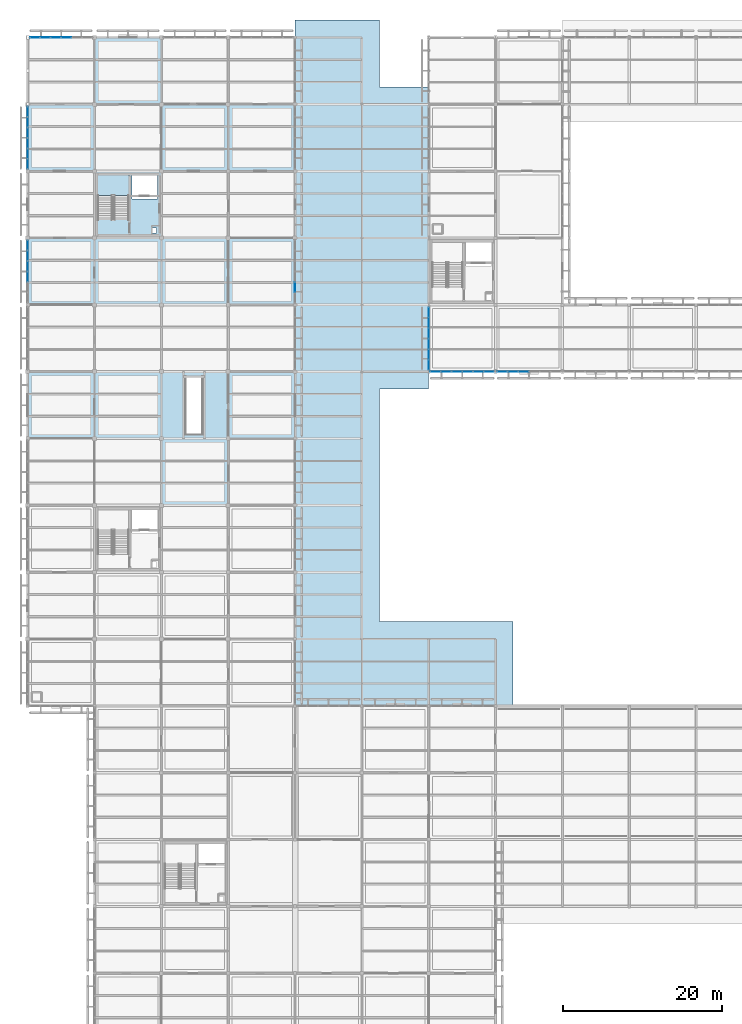
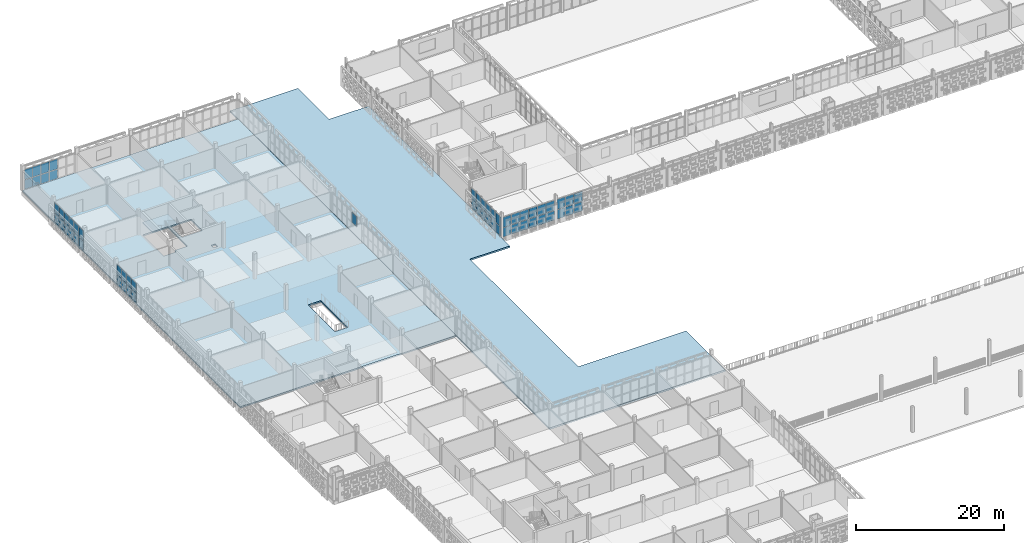
# One storey, part 82 of 166: 59 plates, 3 slabs, 8 elements without a shape of their own.
"""IFC4 building model written with IfcOpenShell, lengths in metres."""

import ifcopenshell
import ifcopenshell.guid

model = None  # the IFC model being written
_history = None  # IfcOwnerHistory: only IFC2X3 demands one
_inside = {}  # id of a spatial element -> (the spatial element, [elements in it])
_under = {}  # id of a project, library or spatial element -> (it, [spatial elements below it])
_declared = {}  # id of a project -> (the project, [libraries it declares])
_typed = {}  # id of a type object -> (the type object, [elements of that type])
_made_of = {}  # id of a material, layer set ... -> (it, [elements and type objects made of it])


def new_model(schema):
    """Start an empty IFC model of exactly this schema.

    Asked for "IFC4X3", IfcOpenShell would pick the latest addendum, in which some entities
    have other attributes; the version numbers below select the first issue.
    IFC2X3 requires an IfcOwnerHistory on every rooted entity: one is made here for all.
    """
    global model, _history
    if schema == "IFC4X3":
        model = ifcopenshell.file(schema_version=(4, 3, 0, 0))
    else:
        model = ifcopenshell.file(schema=schema)
    _inside.clear()
    _under.clear()
    _declared.clear()
    _typed.clear()
    _made_of.clear()
    _history = None
    if model.schema == "IFC2X3":
        org = make("IfcOrganization", Name="unknown")
        user = make(
            "IfcPersonAndOrganization",
            ThePerson=make("IfcPerson", FamilyName="unknown"),
            TheOrganization=org,
        )
        app = make(
            "IfcApplication",
            ApplicationDeveloper=org,
            Version="unknown",
            ApplicationFullName="unknown",
            ApplicationIdentifier="unknown",
        )
        _history = make(
            "IfcOwnerHistory",
            OwningUser=user,
            OwningApplication=app,
            ChangeAction="ADDED",
            CreationDate=0,
        )
    return model


def make(cls, **values):
    """One entity of the class cls with the attributes given. An attribute that is None is left unset."""
    return model.create_entity(
        cls, **{name: value for name, value in values.items() if value is not None}
    )


def rooted(cls, **values):
    """An entity with a GlobalId (a new one), such as an element, a storey or a relation."""
    return make(cls, GlobalId=ifcopenshell.guid.new(), OwnerHistory=_history, **values)


def si_unit(unit_type, name, prefix=None):
    """IfcSIUnit, for example si_unit("LENGTHUNIT", "METRE", prefix="MILLI")."""
    return make("IfcSIUnit", UnitType=unit_type, Prefix=prefix, Name=name)


def assignment(units):
    """IfcUnitAssignment: the units of a project."""
    return None if units is None else make("IfcUnitAssignment", Units=units)


def point(xyz):
    """IfcCartesianPoint."""
    return None if xyz is None else make("IfcCartesianPoint", Coordinates=xyz)


def direction(xyz):
    """IfcDirection."""
    return None if xyz is None else make("IfcDirection", DirectionRatios=xyz)


def frame(location, z_axis=None, x_axis=None):
    """IfcAxis2Placement3D, a coordinate frame: its origin and axes. An axis left out is left unset."""
    return make(
        "IfcAxis2Placement3D",
        Location=point(location),
        Axis=direction(z_axis),
        RefDirection=direction(x_axis),
    )


def frame_2d(location, x_axis=None):
    """IfcAxis2Placement2D, a coordinate frame in the plane: its origin and x axis."""
    return make(
        "IfcAxis2Placement2D", Location=point(location), RefDirection=direction(x_axis)
    )


def origin():
    """The frame at (0, 0, 0) with its axes left unset."""
    return frame((0.0, 0.0, 0.0))


def origin_2d():
    """The frame at (0, 0) in the plane with its x axis left unset."""
    return frame_2d((0.0, 0.0))


def place(relative_to, where):
    """IfcLocalPlacement: puts the frame where relative to a parent placement (None: the world)."""
    return make(
        "IfcLocalPlacement", PlacementRelTo=relative_to, RelativePlacement=where
    )


def context(
    kind, dimensions, precision=None, world=None, true_north=None, identifier=None
):
    """IfcGeometricRepresentationContext, for example the 3D "Model" context."""
    return make(
        "IfcGeometricRepresentationContext",
        ContextIdentifier=identifier,
        ContextType=kind,
        CoordinateSpaceDimension=dimensions,
        Precision=precision,
        WorldCoordinateSystem=world,
        TrueNorth=true_north,
    )


def subcontext(parent, identifier, kind, view, scale=None):
    """IfcGeometricRepresentationSubContext, for example "Body" below "Model"."""
    return make(
        "IfcGeometricRepresentationSubContext",
        ContextIdentifier=identifier,
        ContextType=kind,
        ParentContext=parent,
        TargetScale=scale,
        TargetView=view,
    )


def project(units=None, contexts=None):
    """IfcProject with its units and contexts."""
    return rooted(
        "IfcProject",
        Name="project",
        RepresentationContexts=contexts,
        UnitsInContext=assignment(units),
    )


def spatial(cls, under=None, at=None, **own):
    """A site, building, storey or space (cls), placed at a placement, below another one or the project."""
    s = rooted(cls, ObjectPlacement=at, **own)
    if under is not None:
        _under.setdefault(under.id(), (under, []))[1].append(s)
    return s


def polyline(points):
    """IfcPolyline through the points."""
    return make("IfcPolyline", Points=[point(p) for p in points])


def profile(cls, at=None, kind="AREA", **sizes):
    """A parametric profile (cls). Its sizes go by their IFC names, for example OverallWidth=200.0."""
    return make(cls, ProfileType=kind, Position=at, **sizes)


def rectangle(**sizes):
    """IfcRectangleProfileDef."""
    return profile("IfcRectangleProfileDef", **sizes)


def outline(outer, holes=None, kind="AREA"):
    """IfcArbitraryClosedProfileDef: a profile drawn as a closed curve; with holes, ...WithVoids."""
    if holes is None:
        return make("IfcArbitraryClosedProfileDef", ProfileType=kind, OuterCurve=outer)
    return make(
        "IfcArbitraryProfileDefWithVoids",
        ProfileType=kind,
        OuterCurve=outer,
        InnerCurves=holes,
    )


def extrude(swept, where, along, depth):
    """IfcExtrudedAreaSolid: the profile swept, set in the frame where, extruded along a direction by depth."""
    return make(
        "IfcExtrudedAreaSolid",
        SweptArea=swept,
        Position=where,
        ExtrudedDirection=direction(along),
        Depth=depth,
    )


def shape(context_of_items, identifier, shape_type, items):
    """IfcShapeRepresentation: the items that make up one representation, for example the "Body"."""
    return make(
        "IfcShapeRepresentation",
        ContextOfItems=context_of_items,
        RepresentationIdentifier=identifier,
        RepresentationType=shape_type,
        Items=items,
    )


def material(Name=None, Category=None):
    """IfcMaterial."""
    return make("IfcMaterial", Name=Name, Category=Category)


def layer(
    of_material, thickness, ventilated=None, Name=None, Category=None, Priority=None
):
    """IfcMaterialLayer: one layer of a wall or slab, of a material (None: an air gap)."""
    return make(
        "IfcMaterialLayer",
        Material=of_material,
        LayerThickness=thickness,
        IsVentilated=ventilated,
        Name=Name,
        Category=Category,
        Priority=Priority,
    )


def layer_set(layers, Name=None):
    """IfcMaterialLayerSet."""
    return make("IfcMaterialLayerSet", MaterialLayers=layers, LayerSetName=Name)


def made_of(thing, what):
    """Note that an element or type object is made of a material, layer set ...; save() writes the relation."""
    if what is not None:
        _made_of.setdefault(what.id(), (what, []))[1].append(thing)
    return thing


def type_object(cls, material=None, **own):
    """A type object (cls), such as IfcWallType, which elements share."""
    return made_of(rooted(cls, **own), material)


def element(
    cls,
    number,
    at=None,
    inside=None,
    cuts=None,
    type_object=None,
    material=None,
    context=None,
    identifier="Body",
    shape_type=None,
    held_by="IfcProductDefinitionShape",
    body=None,
    shapes=None,
    **own,
):
    """One element of the class cls, such as IfcWall. Its Tag is "e" and its number.

    at: its placement. inside: the storey or other place that contains it. cuts: it is an
    opening in that element (IfcRelVoidsElement). A single representation is given by context,
    identifier, shape_type and body (its items); several are given by shapes. held_by: the class
    of the entity that holds the representations. save() writes the other relations.
    """
    e = rooted(cls, Tag="e%d" % number, ObjectPlacement=at, **own)
    if body is not None:
        shapes = [shape(context, identifier, shape_type, body)]
    if shapes is not None:
        e.Representation = make(held_by, Representations=shapes)
    if inside is not None:
        _inside.setdefault(inside.id(), (inside, []))[1].append(e)
    if cuts is not None:
        rooted(
            "IfcRelVoidsElement", RelatingBuildingElement=cuts, RelatedOpeningElement=e
        )
    if type_object is not None:
        _typed.setdefault(type_object.id(), (type_object, []))[1].append(e)
    return made_of(e, material)


def aggregate(whole, parts):
    """IfcRelAggregates: a whole, such as a stair, and the parts it consists of."""
    return rooted("IfcRelAggregates", RelatingObject=whole, RelatedObjects=parts)


def save(model, path):
    """Write the relations noted so far, then the file.

    IfcRelAggregates (storeys below a building ...), IfcRelContainedInSpatialStructure (elements
    in a storey), IfcRelDefinesByType, IfcRelAssociatesMaterial and IfcRelDeclares: one each for
    every whole, place, type object, material and project.
    """
    for whole, parts in _under.values():
        aggregate(whole, parts)
    for where, things in _inside.values():
        rooted(
            "IfcRelContainedInSpatialStructure",
            RelatedElements=things,
            RelatingStructure=where,
        )
    for kind, things in _typed.values():
        rooted("IfcRelDefinesByType", RelatedObjects=things, RelatingType=kind)
    for what, things in _made_of.values():
        rooted("IfcRelAssociatesMaterial", RelatedObjects=things, RelatingMaterial=what)
    for by, libraries in _declared.values():
        rooted("IfcRelDeclares", RelatingContext=by, RelatedDefinitions=libraries)
    model.write(path)


model = new_model("IFC4")

# Units and contexts
model_context = context("Model", 3, precision=1e-05, world=origin(), true_north=direction((0.0, 1.0)))
body_context = subcontext(model_context, "Body", "Model", "MODEL_VIEW")
ifc_project = project(units=[si_unit("LENGTHUNIT", "METRE"), si_unit("AREAUNIT", "SQUARE_METRE"), si_unit("VOLUMEUNIT", "CUBIC_METRE"), si_unit("PLANEANGLEUNIT", "RADIAN"), si_unit("MASSUNIT", "GRAM", prefix="KILO")], contexts=[model_context])

# Site, building, storey
site_placement = place(None, origin())
site = spatial("IfcSite", under=ifc_project, at=site_placement, CompositionType="ELEMENT")
building_placement = place(site_placement, origin())
building = spatial("IfcBuilding", under=site, at=building_placement, Name="Varnapada Polytechnic", CompositionType="ELEMENT")
storey_placement = place(building_placement, frame((0.0, 0.0, 9.60009765625)))
storey = spatial("IfcBuildingStorey", under=building, at=storey_placement, Name="L02", CompositionType="ELEMENT", Elevation=9.60009765625)

# Curtain wall, plates
ifc_material_1 = material(Name="Double low-E laminated glass", Category="glass")
ifc_layer_1 = layer(ifc_material_1, 0.159912109375)
ifc_layer_set_1 = layer_set([ifc_layer_1], Name="Double low-E laminated glass")
curtain_wall_type_1 = type_object("IfcCurtainWallType", Name="Curtain Wall CW-01", PredefinedType="NOTDEFINED", material=ifc_layer_set_1)
curtain_wall_1_placement = place(storey_placement, origin())
curtain_wall_1 = element("IfcCurtainWall", 1, at=curtain_wall_1_placement, inside=storey, type_object=curtain_wall_type_1, Name="L02 unitised curtain wall CW-01 (158)", PredefinedType="NOTDEFINED")
ifc_layer_2 = layer(ifc_material_1, 0.028076171875)
ifc_layer_set_2 = layer_set([ifc_layer_2], Name="Double low-E laminated glass")
plate_type_1 = type_object("IfcPlateType", Name="Curtain Panel PNL-01", PredefinedType="CURTAIN_PANEL", material=ifc_layer_set_2)
plate_1_placement = place(storey_placement, frame((57.9599609375, 84.0, 0.06005859375), z_axis=(0.0, 0.0, 1.0), x_axis=(-1.0, 0.0, 0.0)))
plate_1 = element("IfcPlate", 2, at=plate_1_placement, type_object=plate_type_1, Name="CW-01 panel 1.1", PredefinedType="CURTAIN_PANEL", context=body_context, shape_type="SweptSolid", body=[
    extrude(rectangle(XDim=1.260009765625, YDim=0.028076171875, at=origin_2d()), origin(), (0.0, 0.0, 1.0), 1.522705078125),
])
plate_2_placement = place(storey_placement, frame((57.9599609375, 84.0, 1.642578125), z_axis=(0.0, 0.0, 1.0), x_axis=(-1.0, 0.0, 0.0)))
plate_2 = element("IfcPlate", 3, at=plate_2_placement, type_object=plate_type_1, Name="CW-01 panel 1.2", PredefinedType="CURTAIN_PANEL", context=body_context, shape_type="SweptSolid", body=[
    extrude(rectangle(XDim=1.260009765625, YDim=0.028076171875, at=origin_2d()), origin(), (0.0, 0.0, 1.0), 1.6572265625),
])
plate_3_placement = place(storey_placement, frame((56.625, 84.0, 0.06005859375), z_axis=(0.0, 0.0, 1.0), x_axis=(-1.0, 0.0, 0.0)))
plate_3 = element("IfcPlate", 4, at=plate_3_placement, type_object=plate_type_1, Name="CW-01 panel 2.1", PredefinedType="CURTAIN_PANEL", context=body_context, shape_type="SweptSolid", body=[
    extrude(rectangle(XDim=1.2900390625, YDim=0.028076171875, at=origin_2d()), origin(), (0.0, 0.0, 1.0), 1.522705078125),
])
plate_4_placement = place(storey_placement, frame((56.625, 84.0, 1.642578125), z_axis=(0.0, 0.0, 1.0), x_axis=(-1.0, 0.0, 0.0)))
plate_4 = element("IfcPlate", 5, at=plate_4_placement, type_object=plate_type_1, Name="CW-01 panel 2.2", PredefinedType="CURTAIN_PANEL", context=body_context, shape_type="SweptSolid", body=[
    extrude(rectangle(XDim=1.2900390625, YDim=0.028076171875, at=origin_2d()), origin(), (0.0, 0.0, 1.0), 1.6572265625),
])
plate_5_placement = place(storey_placement, frame((55.27490234375, 84.0, 0.06005859375), z_axis=(0.0, 0.0, 1.0), x_axis=(-1.0, 0.0, 0.0)))
plate_5 = element("IfcPlate", 6, at=plate_5_placement, type_object=plate_type_1, Name="CW-01 panel 3.1", PredefinedType="CURTAIN_PANEL", context=body_context, shape_type="SweptSolid", body=[
    extrude(rectangle(XDim=1.2900390625, YDim=0.028076171875, at=origin_2d()), origin(), (0.0, 0.0, 1.0), 1.522705078125),
])
plate_6_placement = place(storey_placement, frame((55.27490234375, 84.0, 1.642578125), z_axis=(0.0, 0.0, 1.0), x_axis=(-1.0, 0.0, 0.0)))
plate_6 = element("IfcPlate", 7, at=plate_6_placement, type_object=plate_type_1, Name="CW-01 panel 3.2", PredefinedType="CURTAIN_PANEL", context=body_context, shape_type="SweptSolid", body=[
    extrude(rectangle(XDim=1.2900390625, YDim=0.028076171875, at=origin_2d()), origin(), (0.0, 0.0, 1.0), 1.6572265625),
])
plate_7_placement = place(storey_placement, frame((53.925048828125, 84.0, 0.06005859375), z_axis=(0.0, 0.0, 1.0), x_axis=(-1.0, 0.0, 0.0)))
plate_7 = element("IfcPlate", 8, at=plate_7_placement, type_object=plate_type_1, Name="CW-01 panel 4.1", PredefinedType="CURTAIN_PANEL", context=body_context, shape_type="SweptSolid", body=[
    extrude(rectangle(XDim=1.2900390625, YDim=0.028076171875, at=origin_2d()), origin(), (0.0, 0.0, 1.0), 1.522705078125),
])
plate_8_placement = place(storey_placement, frame((53.925048828125, 84.0, 1.642578125), z_axis=(0.0, 0.0, 1.0), x_axis=(-1.0, 0.0, 0.0)))
plate_8 = element("IfcPlate", 9, at=plate_8_placement, type_object=plate_type_1, Name="CW-01 panel 4.2", PredefinedType="CURTAIN_PANEL", context=body_context, shape_type="SweptSolid", body=[
    extrude(rectangle(XDim=1.2900390625, YDim=0.028076171875, at=origin_2d()), origin(), (0.0, 0.0, 1.0), 1.6572265625),
])
plate_9_placement = place(storey_placement, frame((52.574951171875, 84.0, 0.06005859375), z_axis=(0.0, 0.0, 1.0), x_axis=(-1.0, 0.0, 0.0)))
plate_9 = element("IfcPlate", 10, at=plate_9_placement, type_object=plate_type_1, Name="CW-01 panel 5.1", PredefinedType="CURTAIN_PANEL", context=body_context, shape_type="SweptSolid", body=[
    extrude(rectangle(XDim=1.2900390625, YDim=0.028076171875, at=origin_2d()), origin(), (0.0, 0.0, 1.0), 1.522705078125),
])
plate_10_placement = place(storey_placement, frame((52.574951171875, 84.0, 1.642578125), z_axis=(0.0, 0.0, 1.0), x_axis=(-1.0, 0.0, 0.0)))
plate_10 = element("IfcPlate", 11, at=plate_10_placement, type_object=plate_type_1, Name="CW-01 panel 5.2", PredefinedType="CURTAIN_PANEL", context=body_context, shape_type="SweptSolid", body=[
    extrude(rectangle(XDim=1.2900390625, YDim=0.028076171875, at=origin_2d()), origin(), (0.0, 0.0, 1.0), 1.6572265625),
])
plate_11_placement = place(storey_placement, frame((51.239990234375, 84.0, 0.06005859375), z_axis=(0.0, 0.0, 1.0), x_axis=(-1.0, 0.0, 0.0)))
plate_11 = element("IfcPlate", 12, at=plate_11_placement, type_object=plate_type_1, Name="CW-01 panel 6.1", PredefinedType="CURTAIN_PANEL", context=body_context, shape_type="SweptSolid", body=[
    extrude(rectangle(XDim=1.260009765625, YDim=0.028076171875, at=origin_2d()), origin(), (0.0, 0.0, 1.0), 1.522705078125),
])
plate_12_placement = place(storey_placement, frame((51.239990234375, 84.0, 1.642578125), z_axis=(0.0, 0.0, 1.0), x_axis=(-1.0, 0.0, 0.0)))
plate_12 = element("IfcPlate", 13, at=plate_12_placement, type_object=plate_type_1, Name="CW-01 panel 6.2", PredefinedType="CURTAIN_PANEL", context=body_context, shape_type="SweptSolid", body=[
    extrude(rectangle(XDim=1.260009765625, YDim=0.028076171875, at=origin_2d()), origin(), (0.0, 0.0, 1.0), 1.6572265625),
])
aggregate(curtain_wall_1, [plate_1, plate_2, plate_3, plate_4, plate_5, plate_6, plate_7, plate_8, plate_9, plate_10, plate_11, plate_12])

ifc_layer_3 = layer(ifc_material_1, 0.159912109375)
ifc_layer_set_3 = layer_set([ifc_layer_3], Name="Double low-E laminated glass")
curtain_wall_type_2 = type_object("IfcCurtainWallType", Name="Curtain Wall CW-02", PredefinedType="NOTDEFINED", material=ifc_layer_set_3)
curtain_wall_2_placement = place(storey_placement, origin())
curtain_wall_2 = element("IfcCurtainWall", 14, at=curtain_wall_2_placement, inside=storey, type_object=curtain_wall_type_2, Name="L02 unitised curtain wall CW-02 (159)", PredefinedType="NOTDEFINED")
plate_13_placement = place(storey_placement, frame((50.39990234375, 84.879638671875, 0.06005859375), z_axis=(0.0, 0.0, 1.0), x_axis=(0.0, 1.0, 0.0)))
plate_13 = element("IfcPlate", 15, at=plate_13_placement, type_object=plate_type_1, Name="CW-02 panel 1.1", PredefinedType="CURTAIN_PANEL", context=body_context, shape_type="SweptSolid", body=[
    extrude(rectangle(XDim=1.2392578125, YDim=0.028076171875, at=origin_2d()), origin(), (0.0, 0.0, 1.0), 1.522705078125),
])
plate_14_placement = place(storey_placement, frame((50.39990234375, 84.879638671875, 1.642578125), z_axis=(0.0, 0.0, 1.0), x_axis=(0.0, 1.0, 0.0)))
plate_14 = element("IfcPlate", 16, at=plate_14_placement, type_object=plate_type_1, Name="CW-02 panel 1.2", PredefinedType="CURTAIN_PANEL", context=body_context, shape_type="SweptSolid", body=[
    extrude(rectangle(XDim=1.2392578125, YDim=0.028076171875, at=origin_2d()), origin(), (0.0, 0.0, 1.0), 1.6572265625),
])
plate_15_placement = place(storey_placement, frame((50.39990234375, 86.19384765625, 0.06005859375), z_axis=(0.0, 0.0, 1.0), x_axis=(0.0, 1.0, 0.0)))
plate_15 = element("IfcPlate", 17, at=plate_15_placement, type_object=plate_type_1, Name="CW-02 panel 2.1", PredefinedType="CURTAIN_PANEL", context=body_context, shape_type="SweptSolid", body=[
    extrude(rectangle(XDim=1.269287109375, YDim=0.028076171875, at=origin_2d()), origin(), (0.0, 0.0, 1.0), 1.522705078125),
])
plate_16_placement = place(storey_placement, frame((50.39990234375, 86.19384765625, 1.642578125), z_axis=(0.0, 0.0, 1.0), x_axis=(0.0, 1.0, 0.0)))
plate_16 = element("IfcPlate", 18, at=plate_16_placement, type_object=plate_type_1, Name="CW-02 panel 2.2", PredefinedType="CURTAIN_PANEL", context=body_context, shape_type="SweptSolid", body=[
    extrude(rectangle(XDim=1.269287109375, YDim=0.028076171875, at=origin_2d()), origin(), (0.0, 0.0, 1.0), 1.6572265625),
])
plate_17_placement = place(storey_placement, frame((50.39990234375, 87.52294921875, 0.06005859375), z_axis=(0.0, 0.0, 1.0), x_axis=(0.0, 1.0, 0.0)))
plate_17 = element("IfcPlate", 19, at=plate_17_placement, type_object=plate_type_1, Name="CW-02 panel 3.1", PredefinedType="CURTAIN_PANEL", context=body_context, shape_type="SweptSolid", body=[
    extrude(rectangle(XDim=1.269287109375, YDim=0.028076171875, at=origin_2d()), origin(), (0.0, 0.0, 1.0), 1.522705078125),
])
plate_18_placement = place(storey_placement, frame((50.39990234375, 87.52294921875, 1.642578125), z_axis=(0.0, 0.0, 1.0), x_axis=(0.0, 1.0, 0.0)))
plate_18 = element("IfcPlate", 20, at=plate_18_placement, type_object=plate_type_1, Name="CW-02 panel 3.2", PredefinedType="CURTAIN_PANEL", context=body_context, shape_type="SweptSolid", body=[
    extrude(rectangle(XDim=1.269287109375, YDim=0.028076171875, at=origin_2d()), origin(), (0.0, 0.0, 1.0), 1.6572265625),
])
plate_19_placement = place(storey_placement, frame((50.39990234375, 88.85205078125, 0.06005859375), z_axis=(0.0, 0.0, 1.0), x_axis=(0.0, 1.0, 0.0)))
plate_19 = element("IfcPlate", 21, at=plate_19_placement, type_object=plate_type_1, Name="CW-02 panel 4.1", PredefinedType="CURTAIN_PANEL", context=body_context, shape_type="SweptSolid", body=[
    extrude(rectangle(XDim=1.269287109375, YDim=0.028076171875, at=origin_2d()), origin(), (0.0, 0.0, 1.0), 1.522705078125),
])
plate_20_placement = place(storey_placement, frame((50.39990234375, 88.85205078125, 1.642578125), z_axis=(0.0, 0.0, 1.0), x_axis=(0.0, 1.0, 0.0)))
plate_20 = element("IfcPlate", 22, at=plate_20_placement, type_object=plate_type_1, Name="CW-02 panel 4.2", PredefinedType="CURTAIN_PANEL", context=body_context, shape_type="SweptSolid", body=[
    extrude(rectangle(XDim=1.269287109375, YDim=0.028076171875, at=origin_2d()), origin(), (0.0, 0.0, 1.0), 1.6572265625),
])
plate_21_placement = place(storey_placement, frame((50.39990234375, 90.18115234375, 0.06005859375), z_axis=(0.0, 0.0, 1.0), x_axis=(0.0, 1.0, 0.0)))
plate_21 = element("IfcPlate", 23, at=plate_21_placement, type_object=plate_type_1, Name="CW-02 panel 5.1", PredefinedType="CURTAIN_PANEL", context=body_context, shape_type="SweptSolid", body=[
    extrude(rectangle(XDim=1.269287109375, YDim=0.028076171875, at=origin_2d()), origin(), (0.0, 0.0, 1.0), 1.522705078125),
])
plate_22_placement = place(storey_placement, frame((50.39990234375, 90.18115234375, 1.642578125), z_axis=(0.0, 0.0, 1.0), x_axis=(0.0, 1.0, 0.0)))
plate_22 = element("IfcPlate", 24, at=plate_22_placement, type_object=plate_type_1, Name="CW-02 panel 5.2", PredefinedType="CURTAIN_PANEL", context=body_context, shape_type="SweptSolid", body=[
    extrude(rectangle(XDim=1.269287109375, YDim=0.028076171875, at=origin_2d()), origin(), (0.0, 0.0, 1.0), 1.6572265625),
])
plate_23_placement = place(storey_placement, frame((50.39990234375, 91.495361328125, 0.06005859375), z_axis=(0.0, 0.0, 1.0), x_axis=(0.0, 1.0, 0.0)))
plate_23 = element("IfcPlate", 25, at=plate_23_placement, type_object=plate_type_1, Name="CW-02 panel 6.1", PredefinedType="CURTAIN_PANEL", context=body_context, shape_type="SweptSolid", body=[
    extrude(rectangle(XDim=1.2392578125, YDim=0.028076171875, at=origin_2d()), origin(), (0.0, 0.0, 1.0), 1.522705078125),
])
plate_24_placement = place(storey_placement, frame((50.39990234375, 91.495361328125, 1.642578125), z_axis=(0.0, 0.0, 1.0), x_axis=(0.0, 1.0, 0.0)))
plate_24 = element("IfcPlate", 26, at=plate_24_placement, type_object=plate_type_1, Name="CW-02 panel 6.2", PredefinedType="CURTAIN_PANEL", context=body_context, shape_type="SweptSolid", body=[
    extrude(rectangle(XDim=1.2392578125, YDim=0.028076171875, at=origin_2d()), origin(), (0.0, 0.0, 1.0), 1.6572265625),
])
aggregate(curtain_wall_2, [plate_13, plate_14, plate_15, plate_16, plate_17, plate_18, plate_19, plate_20, plate_21, plate_22, plate_23, plate_24])

curtain_wall_3_placement = place(storey_placement, origin())
curtain_wall_3 = element("IfcCurtainWall", 27, at=curtain_wall_3_placement, inside=storey, type_object=curtain_wall_type_1, Name="L02 unitised curtain wall CW-01 (162)", PredefinedType="NOTDEFINED")
plate_25_placement = place(storey_placement, frame((62.324951171875, 84.0, 0.06005859375), z_axis=(0.0, 0.0, 1.0), x_axis=(-1.0, 0.0, 0.0)))
plate_25 = element("IfcPlate", 28, at=plate_25_placement, type_object=plate_type_1, Name="CW-01 panel 4.1", PredefinedType="CURTAIN_PANEL", context=body_context, shape_type="SweptSolid", body=[
    extrude(rectangle(XDim=1.2900390625, YDim=0.028076171875, at=origin_2d()), origin(), (0.0, 0.0, 1.0), 1.522705078125),
])
plate_26_placement = place(storey_placement, frame((62.324951171875, 84.0, 1.642578125), z_axis=(0.0, 0.0, 1.0), x_axis=(-1.0, 0.0, 0.0)))
plate_26 = element("IfcPlate", 29, at=plate_26_placement, type_object=plate_type_1, Name="CW-01 panel 4.2", PredefinedType="CURTAIN_PANEL", context=body_context, shape_type="SweptSolid", body=[
    extrude(rectangle(XDim=1.2900390625, YDim=0.028076171875, at=origin_2d()), origin(), (0.0, 0.0, 1.0), 1.6572265625),
])
plate_27_placement = place(storey_placement, frame((60.97509765625, 84.0, 0.06005859375), z_axis=(0.0, 0.0, 1.0), x_axis=(-1.0, 0.0, 0.0)))
plate_27 = element("IfcPlate", 30, at=plate_27_placement, type_object=plate_type_1, Name="CW-01 panel 5.1", PredefinedType="CURTAIN_PANEL", context=body_context, shape_type="SweptSolid", body=[
    extrude(rectangle(XDim=1.2900390625, YDim=0.028076171875, at=origin_2d()), origin(), (0.0, 0.0, 1.0), 1.522705078125),
])
plate_28_placement = place(storey_placement, frame((60.97509765625, 84.0, 1.642578125), z_axis=(0.0, 0.0, 1.0), x_axis=(-1.0, 0.0, 0.0)))
plate_28 = element("IfcPlate", 31, at=plate_28_placement, type_object=plate_type_1, Name="CW-01 panel 5.2", PredefinedType="CURTAIN_PANEL", context=body_context, shape_type="SweptSolid", body=[
    extrude(rectangle(XDim=1.2900390625, YDim=0.028076171875, at=origin_2d()), origin(), (0.0, 0.0, 1.0), 1.6572265625),
])
plate_29_placement = place(storey_placement, frame((59.639892578125, 84.0, 0.06005859375), z_axis=(0.0, 0.0, 1.0), x_axis=(-1.0, 0.0, 0.0)))
plate_29 = element("IfcPlate", 32, at=plate_29_placement, type_object=plate_type_1, Name="CW-01 panel 6.1", PredefinedType="CURTAIN_PANEL", context=body_context, shape_type="SweptSolid", body=[
    extrude(rectangle(XDim=1.260009765625, YDim=0.028076171875, at=origin_2d()), origin(), (0.0, 0.0, 1.0), 1.522705078125),
])
plate_30_placement = place(storey_placement, frame((59.639892578125, 84.0, 1.642578125), z_axis=(0.0, 0.0, 1.0), x_axis=(-1.0, 0.0, 0.0)))
plate_30 = element("IfcPlate", 33, at=plate_30_placement, type_object=plate_type_1, Name="CW-01 panel 6.2", PredefinedType="CURTAIN_PANEL", context=body_context, shape_type="SweptSolid", body=[
    extrude(rectangle(XDim=1.260009765625, YDim=0.028076171875, at=origin_2d()), origin(), (0.0, 0.0, 1.0), 1.6572265625),
])
aggregate(curtain_wall_3, [plate_25, plate_26, plate_27, plate_28, plate_29, plate_30])

ifc_layer_4 = layer(ifc_material_1, 0.179931640625)
ifc_layer_set_4 = layer_set([ifc_layer_4], Name="Double low-E laminated glass")
curtain_wall_type_3 = type_object("IfcCurtainWallType", Name="Curtain Wall CW-03", PredefinedType="NOTDEFINED", material=ifc_layer_set_4)
curtain_wall_4_placement = place(storey_placement, origin())
curtain_wall_4 = element("IfcCurtainWall", 34, at=curtain_wall_4_placement, inside=storey, type_object=curtain_wall_type_3, Name="L02 unitised curtain wall CW-03 (133)", PredefinedType="NOTDEFINED")
ifc_layer_5 = layer(ifc_material_1, 0.031982421875)
ifc_layer_set_5 = layer_set([ifc_layer_5], Name="Double low-E laminated glass")
plate_type_2 = type_object("IfcPlateType", Name="Curtain Panel PNL-02", PredefinedType="CURTAIN_PANEL", material=ifc_layer_set_5)
plate_31_placement = place(storey_placement, frame((0.0, 95.935791015625, 0.06494140625), z_axis=(0.0, 0.0, 1.0), x_axis=(0.0, 1.0, 0.0)))
plate_31 = element("IfcPlate", 35, at=plate_31_placement, type_object=plate_type_2, Name="CW-03 panel 3.1", PredefinedType="CURTAIN_PANEL", context=body_context, shape_type="SweptSolid", body=[
    extrude(rectangle(XDim=1.25341796875, YDim=0.031982421875, at=origin_2d()), origin(), (0.0, 0.0, 1.0), 1.515380859375),
])
plate_32_placement = place(storey_placement, frame((0.0, 95.935791015625, 1.64501953125), z_axis=(0.0, 0.0, 1.0), x_axis=(0.0, 1.0, 0.0)))
plate_32 = element("IfcPlate", 36, at=plate_32_placement, type_object=plate_type_2, Name="CW-03 panel 3.2", PredefinedType="CURTAIN_PANEL", context=body_context, shape_type="SweptSolid", body=[
    extrude(rectangle(XDim=1.25341796875, YDim=0.031982421875, at=origin_2d()), origin(), (0.0, 0.0, 1.0), 1.649658203125),
])
plate_33_placement = place(storey_placement, frame((0.0, 97.254150390625, 0.06494140625), z_axis=(0.0, 0.0, 1.0), x_axis=(0.0, 1.0, 0.0)))
plate_33 = element("IfcPlate", 37, at=plate_33_placement, type_object=plate_type_2, Name="CW-03 panel 4.1", PredefinedType="CURTAIN_PANEL", context=body_context, shape_type="SweptSolid", body=[
    extrude(rectangle(XDim=1.25341796875, YDim=0.031982421875, at=origin_2d()), origin(), (0.0, 0.0, 1.0), 1.515380859375),
])
plate_34_placement = place(storey_placement, frame((0.0, 97.254150390625, 1.64501953125), z_axis=(0.0, 0.0, 1.0), x_axis=(0.0, 1.0, 0.0)))
plate_34 = element("IfcPlate", 38, at=plate_34_placement, type_object=plate_type_2, Name="CW-03 panel 4.2", PredefinedType="CURTAIN_PANEL", context=body_context, shape_type="SweptSolid", body=[
    extrude(rectangle(XDim=1.25341796875, YDim=0.031982421875, at=origin_2d()), origin(), (0.0, 0.0, 1.0), 1.649658203125),
])
plate_35_placement = place(storey_placement, frame((0.0, 98.572509765625, 0.06494140625), z_axis=(0.0, 0.0, 1.0), x_axis=(0.0, 1.0, 0.0)))
plate_35 = element("IfcPlate", 39, at=plate_35_placement, type_object=plate_type_2, Name="CW-03 panel 5.1", PredefinedType="CURTAIN_PANEL", context=body_context, shape_type="SweptSolid", body=[
    extrude(rectangle(XDim=1.25341796875, YDim=0.031982421875, at=origin_2d()), origin(), (0.0, 0.0, 1.0), 1.515380859375),
])
plate_36_placement = place(storey_placement, frame((0.0, 98.572509765625, 1.64501953125), z_axis=(0.0, 0.0, 1.0), x_axis=(0.0, 1.0, 0.0)))
plate_36 = element("IfcPlate", 40, at=plate_36_placement, type_object=plate_type_2, Name="CW-03 panel 5.2", PredefinedType="CURTAIN_PANEL", context=body_context, shape_type="SweptSolid", body=[
    extrude(rectangle(XDim=1.25341796875, YDim=0.031982421875, at=origin_2d()), origin(), (0.0, 0.0, 1.0), 1.649658203125),
])
plate_37_placement = place(storey_placement, frame((0.0, 99.87451171875, 0.06494140625), z_axis=(0.0, 0.0, 1.0), x_axis=(0.0, 1.0, 0.0)))
plate_37 = element("IfcPlate", 41, at=plate_37_placement, type_object=plate_type_2, Name="CW-03 panel 6.1", PredefinedType="CURTAIN_PANEL", context=body_context, shape_type="SweptSolid", body=[
    extrude(rectangle(XDim=1.220947265625, YDim=0.031982421875, at=origin_2d()), origin(), (0.0, 0.0, 1.0), 1.515380859375),
])
plate_38_placement = place(storey_placement, frame((0.0, 99.87451171875, 1.64501953125), z_axis=(0.0, 0.0, 1.0), x_axis=(0.0, 1.0, 0.0)))
plate_38 = element("IfcPlate", 42, at=plate_38_placement, type_object=plate_type_2, Name="CW-03 panel 6.2", PredefinedType="CURTAIN_PANEL", context=body_context, shape_type="SweptSolid", body=[
    extrude(rectangle(XDim=1.220947265625, YDim=0.031982421875, at=origin_2d()), origin(), (0.0, 0.0, 1.0), 1.649658203125),
])
aggregate(curtain_wall_4, [plate_31, plate_32, plate_33, plate_34, plate_35, plate_36, plate_37, plate_38])

curtain_wall_5_placement = place(storey_placement, origin())
curtain_wall_5 = element("IfcCurtainWall", 43, at=curtain_wall_5_placement, inside=storey, type_object=curtain_wall_type_3, Name="L02 unitised curtain wall CW-03 (134)", PredefinedType="NOTDEFINED")
plate_39_placement = place(storey_placement, frame((0.0, 110.115478515625, 0.06494140625), z_axis=(0.0, 0.0, 1.0), x_axis=(0.0, 1.0, 0.0)))
plate_39 = element("IfcPlate", 44, at=plate_39_placement, type_object=plate_type_2, Name="CW-03 panel 1.1", PredefinedType="CURTAIN_PANEL", context=body_context, shape_type="SweptSolid", body=[
    extrude(rectangle(XDim=1.220947265625, YDim=0.031982421875, at=origin_2d()), origin(), (0.0, 0.0, 1.0), 1.515380859375),
])
plate_40_placement = place(storey_placement, frame((0.0, 110.115478515625, 1.64501953125), z_axis=(0.0, 0.0, 1.0), x_axis=(0.0, 1.0, 0.0)))
plate_40 = element("IfcPlate", 45, at=plate_40_placement, type_object=plate_type_2, Name="CW-03 panel 1.2", PredefinedType="CURTAIN_PANEL", context=body_context, shape_type="SweptSolid", body=[
    extrude(rectangle(XDim=1.220947265625, YDim=0.031982421875, at=origin_2d()), origin(), (0.0, 0.0, 1.0), 1.649658203125),
])
plate_41_placement = place(storey_placement, frame((0.0, 111.41748046875, 0.06494140625), z_axis=(0.0, 0.0, 1.0), x_axis=(0.0, 1.0, 0.0)))
plate_41 = element("IfcPlate", 46, at=plate_41_placement, type_object=plate_type_2, Name="CW-03 panel 2.1", PredefinedType="CURTAIN_PANEL", context=body_context, shape_type="SweptSolid", body=[
    extrude(rectangle(XDim=1.25341796875, YDim=0.031982421875, at=origin_2d()), origin(), (0.0, 0.0, 1.0), 1.515380859375),
])
plate_42_placement = place(storey_placement, frame((0.0, 111.41748046875, 1.64501953125), z_axis=(0.0, 0.0, 1.0), x_axis=(0.0, 1.0, 0.0)))
plate_42 = element("IfcPlate", 47, at=plate_42_placement, type_object=plate_type_2, Name="CW-03 panel 2.2", PredefinedType="CURTAIN_PANEL", context=body_context, shape_type="SweptSolid", body=[
    extrude(rectangle(XDim=1.25341796875, YDim=0.031982421875, at=origin_2d()), origin(), (0.0, 0.0, 1.0), 1.649658203125),
])
plate_43_placement = place(storey_placement, frame((0.0, 112.73583984375, 0.06494140625), z_axis=(0.0, 0.0, 1.0), x_axis=(0.0, 1.0, 0.0)))
plate_43 = element("IfcPlate", 48, at=plate_43_placement, type_object=plate_type_2, Name="CW-03 panel 3.1", PredefinedType="CURTAIN_PANEL", context=body_context, shape_type="SweptSolid", body=[
    extrude(rectangle(XDim=1.25341796875, YDim=0.031982421875, at=origin_2d()), origin(), (0.0, 0.0, 1.0), 1.515380859375),
])
plate_44_placement = place(storey_placement, frame((0.0, 112.73583984375, 1.64501953125), z_axis=(0.0, 0.0, 1.0), x_axis=(0.0, 1.0, 0.0)))
plate_44 = element("IfcPlate", 49, at=plate_44_placement, type_object=plate_type_2, Name="CW-03 panel 3.2", PredefinedType="CURTAIN_PANEL", context=body_context, shape_type="SweptSolid", body=[
    extrude(rectangle(XDim=1.25341796875, YDim=0.031982421875, at=origin_2d()), origin(), (0.0, 0.0, 1.0), 1.649658203125),
])
plate_45_placement = place(storey_placement, frame((0.0, 114.05419921875, 0.06494140625), z_axis=(0.0, 0.0, 1.0), x_axis=(0.0, 1.0, 0.0)))
plate_45 = element("IfcPlate", 50, at=plate_45_placement, type_object=plate_type_2, Name="CW-03 panel 4.1", PredefinedType="CURTAIN_PANEL", context=body_context, shape_type="SweptSolid", body=[
    extrude(rectangle(XDim=1.25341796875, YDim=0.031982421875, at=origin_2d()), origin(), (0.0, 0.0, 1.0), 1.515380859375),
])
plate_46_placement = place(storey_placement, frame((0.0, 114.05419921875, 1.64501953125), z_axis=(0.0, 0.0, 1.0), x_axis=(0.0, 1.0, 0.0)))
plate_46 = element("IfcPlate", 51, at=plate_46_placement, type_object=plate_type_2, Name="CW-03 panel 4.2", PredefinedType="CURTAIN_PANEL", context=body_context, shape_type="SweptSolid", body=[
    extrude(rectangle(XDim=1.25341796875, YDim=0.031982421875, at=origin_2d()), origin(), (0.0, 0.0, 1.0), 1.649658203125),
])
plate_47_placement = place(storey_placement, frame((0.0, 115.37255859375, 0.06494140625), z_axis=(0.0, 0.0, 1.0), x_axis=(0.0, 1.0, 0.0)))
plate_47 = element("IfcPlate", 52, at=plate_47_placement, type_object=plate_type_2, Name="CW-03 panel 5.1", PredefinedType="CURTAIN_PANEL", context=body_context, shape_type="SweptSolid", body=[
    extrude(rectangle(XDim=1.25341796875, YDim=0.031982421875, at=origin_2d()), origin(), (0.0, 0.0, 1.0), 1.515380859375),
])
plate_48_placement = place(storey_placement, frame((0.0, 115.37255859375, 1.64501953125), z_axis=(0.0, 0.0, 1.0), x_axis=(0.0, 1.0, 0.0)))
plate_48 = element("IfcPlate", 53, at=plate_48_placement, type_object=plate_type_2, Name="CW-03 panel 5.2", PredefinedType="CURTAIN_PANEL", context=body_context, shape_type="SweptSolid", body=[
    extrude(rectangle(XDim=1.25341796875, YDim=0.031982421875, at=origin_2d()), origin(), (0.0, 0.0, 1.0), 1.649658203125),
])
plate_49_placement = place(storey_placement, frame((0.0, 116.674560546875, 0.06494140625), z_axis=(0.0, 0.0, 1.0), x_axis=(0.0, 1.0, 0.0)))
plate_49 = element("IfcPlate", 54, at=plate_49_placement, type_object=plate_type_2, Name="CW-03 panel 6.1", PredefinedType="CURTAIN_PANEL", context=body_context, shape_type="SweptSolid", body=[
    extrude(rectangle(XDim=1.220947265625, YDim=0.031982421875, at=origin_2d()), origin(), (0.0, 0.0, 1.0), 1.515380859375),
])
plate_50_placement = place(storey_placement, frame((0.0, 116.674560546875, 1.64501953125), z_axis=(0.0, 0.0, 1.0), x_axis=(0.0, 1.0, 0.0)))
plate_50 = element("IfcPlate", 55, at=plate_50_placement, type_object=plate_type_2, Name="CW-03 panel 6.2", PredefinedType="CURTAIN_PANEL", context=body_context, shape_type="SweptSolid", body=[
    extrude(rectangle(XDim=1.220947265625, YDim=0.031982421875, at=origin_2d()), origin(), (0.0, 0.0, 1.0), 1.649658203125),
])
aggregate(curtain_wall_5, [plate_39, plate_40, plate_41, plate_42, plate_43, plate_44, plate_45, plate_46, plate_47, plate_48, plate_49, plate_50])

curtain_wall_6_placement = place(storey_placement, origin())
curtain_wall_6 = element("IfcCurtainWall", 56, at=curtain_wall_6_placement, inside=storey, type_object=curtain_wall_type_3, Name="L02 unitised curtain wall CW-03 (135)", PredefinedType="NOTDEFINED")
plate_51_placement = place(storey_placement, frame((0.916259765625, 126.0, 0.06494140625), z_axis=(0.0, 0.0, 1.0), x_axis=(1.0, 0.0, 0.0)))
plate_51 = element("IfcPlate", 57, at=plate_51_placement, type_object=plate_type_2, Name="CW-03 panel 1.1", PredefinedType="CURTAIN_PANEL", context=body_context, shape_type="SweptSolid", body=[
    extrude(rectangle(XDim=1.222412109375, YDim=0.031982421875, at=origin_2d()), origin(), (0.0, 0.0, 1.0), 1.515380859375),
])
plate_52_placement = place(storey_placement, frame((0.916259765625, 126.0, 1.64501953125), z_axis=(0.0, 0.0, 1.0), x_axis=(1.0, 0.0, 0.0)))
plate_52 = element("IfcPlate", 58, at=plate_52_placement, type_object=plate_type_2, Name="CW-03 panel 1.2", PredefinedType="CURTAIN_PANEL", context=body_context, shape_type="SweptSolid", body=[
    extrude(rectangle(XDim=1.222412109375, YDim=0.031982421875, at=origin_2d()), origin(), (0.0, 0.0, 1.0), 1.649658203125),
])
plate_53_placement = place(storey_placement, frame((2.219970703125, 126.0, 0.06494140625), z_axis=(0.0, 0.0, 1.0), x_axis=(1.0, 0.0, 0.0)))
plate_53 = element("IfcPlate", 59, at=plate_53_placement, type_object=plate_type_2, Name="CW-03 panel 2.1", PredefinedType="CURTAIN_PANEL", context=body_context, shape_type="SweptSolid", body=[
    extrude(rectangle(XDim=1.2548828125, YDim=0.031982421875, at=origin_2d()), origin(), (0.0, 0.0, 1.0), 1.515380859375),
])
plate_54_placement = place(storey_placement, frame((2.219970703125, 126.0, 1.64501953125), z_axis=(0.0, 0.0, 1.0), x_axis=(1.0, 0.0, 0.0)))
plate_54 = element("IfcPlate", 60, at=plate_54_placement, type_object=plate_type_2, Name="CW-03 panel 2.2", PredefinedType="CURTAIN_PANEL", context=body_context, shape_type="SweptSolid", body=[
    extrude(rectangle(XDim=1.2548828125, YDim=0.031982421875, at=origin_2d()), origin(), (0.0, 0.0, 1.0), 1.649658203125),
])
plate_55_placement = place(storey_placement, frame((3.5400390625, 126.0, 0.06494140625), z_axis=(0.0, 0.0, 1.0), x_axis=(1.0, 0.0, 0.0)))
plate_55 = element("IfcPlate", 61, at=plate_55_placement, type_object=plate_type_2, Name="CW-03 panel 3.1", PredefinedType="CURTAIN_PANEL", context=body_context, shape_type="SweptSolid", body=[
    extrude(rectangle(XDim=1.2548828125, YDim=0.031982421875, at=origin_2d()), origin(), (0.0, 0.0, 1.0), 1.515380859375),
])
plate_56_placement = place(storey_placement, frame((3.5400390625, 126.0, 1.64501953125), z_axis=(0.0, 0.0, 1.0), x_axis=(1.0, 0.0, 0.0)))
plate_56 = element("IfcPlate", 62, at=plate_56_placement, type_object=plate_type_2, Name="CW-03 panel 3.2", PredefinedType="CURTAIN_PANEL", context=body_context, shape_type="SweptSolid", body=[
    extrude(rectangle(XDim=1.2548828125, YDim=0.031982421875, at=origin_2d()), origin(), (0.0, 0.0, 1.0), 1.649658203125),
])
plate_57_placement = place(storey_placement, frame((4.860107421875, 126.0, 0.06494140625), z_axis=(0.0, 0.0, 1.0), x_axis=(1.0, 0.0, 0.0)))
plate_57 = element("IfcPlate", 63, at=plate_57_placement, type_object=plate_type_2, Name="CW-03 panel 4.1", PredefinedType="CURTAIN_PANEL", context=body_context, shape_type="SweptSolid", body=[
    extrude(rectangle(XDim=1.2548828125, YDim=0.031982421875, at=origin_2d()), origin(), (0.0, 0.0, 1.0), 1.515380859375),
])
plate_58_placement = place(storey_placement, frame((4.860107421875, 126.0, 1.64501953125), z_axis=(0.0, 0.0, 1.0), x_axis=(1.0, 0.0, 0.0)))
plate_58 = element("IfcPlate", 64, at=plate_58_placement, type_object=plate_type_2, Name="CW-03 panel 4.2", PredefinedType="CURTAIN_PANEL", context=body_context, shape_type="SweptSolid", body=[
    extrude(rectangle(XDim=1.2548828125, YDim=0.031982421875, at=origin_2d()), origin(), (0.0, 0.0, 1.0), 1.649658203125),
])
aggregate(curtain_wall_6, [plate_51, plate_52, plate_53, plate_54, plate_55, plate_56, plate_57, plate_58])

# Curtain wall, plate
curtain_wall_7_placement = place(storey_placement, origin())
curtain_wall_7 = element("IfcCurtainWall", 65, at=curtain_wall_7_placement, inside=storey, type_object=curtain_wall_type_3, Name="L02 unitised curtain wall CW-03 (147)", PredefinedType="NOTDEFINED")
plate_59_placement = place(storey_placement, frame((33.60009765625, 94.607421875, 1.64501953125), z_axis=(0.0, 0.0, 1.0), x_axis=(0.0, -1.0, 0.0)))
plate_59 = element("IfcPlate", 66, at=plate_59_placement, type_object=plate_type_2, Name="CW-03 panel 5.2", PredefinedType="CURTAIN_PANEL", context=body_context, shape_type="SweptSolid", body=[
    extrude(rectangle(XDim=1.260009765625, YDim=0.031982421875, at=origin_2d()), origin(), (0.0, 0.0, 1.0), 1.649658203125),
])
aggregate(curtain_wall_7, [plate_59])

# Slabs
ifc_material_2 = material(Name="Cross-laminated timber CLT C24", Category="wood")
ifc_layer_6 = layer(ifc_material_2, 0.239990234375)
ifc_layer_set_6 = layer_set([ifc_layer_6], Name="Cross-laminated timber CLT C24")
slab_type_1 = type_object("IfcSlabType", Name="L02/L03 laboratory CLT composite slab SL-06", PredefinedType="FLOOR", material=ifc_layer_set_6)
slab_1_placement = place(storey_placement, frame((0.0, 0.0, -0.239990234375)))
element("IfcSlab", 67, at=slab_1_placement, inside=storey, type_object=slab_type_1, Name="L02 V4 slab 2.1", PredefinedType="FLOOR", context=body_context, shape_type="SweptSolid", body=[
    extrude(outline(polyline([(0.0, 92.39990234375), (0.0, 100.800048828125), (0.0, 109.199951171875), (0.0, 117.60009765625), (0.0, 126.0), (8.39990234375, 126.0), (16.800048828125, 126.0), (25.199951171875, 126.0), (33.60009765625, 126.0), (33.60009765625, 117.60009765625), (33.60009765625, 109.199951171875), (33.60009765625, 100.800048828125), (33.60009765625, 92.39990234375), (33.60009765625, 84.0), (33.60009765625, 75.60009765625), (33.60009765625, 67.199951171875), (25.199951171875, 67.199951171875), (16.800048828125, 67.199951171875), (8.39990234375, 67.199951171875), (0.0, 67.199951171875), (0.0, 75.60009765625), (0.0, 84.0), (0.0, 92.39990234375)]), holes=[polyline([(8.800048828125, 103.110107421875), (10.75, 103.110107421875), (10.75, 103.510009765625), (12.699951171875, 103.510009765625), (12.699951171875, 108.800048828125), (8.800048828125, 108.800048828125), (8.800048828125, 103.110107421875)]), polyline([(19.89990234375, 76.14990234375), (21.89990234375, 76.14990234375), (21.89990234375, 83.39990234375), (19.89990234375, 83.39990234375), (19.89990234375, 76.14990234375)]), polyline([(13.10009765625, 105.699951171875), (16.300048828125, 105.699951171875), (16.300048828125, 108.75), (13.10009765625, 108.75), (13.10009765625, 105.699951171875)]), polyline([(15.550048828125, 101.419921875), (16.199951171875, 101.419921875), (16.199951171875, 102.070068359375), (15.550048828125, 102.070068359375), (15.550048828125, 101.419921875)])]), origin(), (0.0, 0.0, 1.0), 0.239990234375),
])
ifc_material_3 = material(Name="Concrete C40/50", Category="concrete")
ifc_layer_7 = layer(ifc_material_3, 0.27001953125)
ifc_layer_set_7 = layer_set([ifc_layer_7], Name="Concrete C40/50")
slab_type_2 = type_object("IfcSlabType", Name="Overhanging tropical eave roof slab RS-07", PredefinedType="ROOF", material=ifc_layer_set_7)
slab_2_placement = place(storey_placement, frame((0.0, 0.0, -0.27001953125)))
element("IfcSlab", 68, at=slab_2_placement, inside=storey, type_object=slab_type_2, Name="L02 overhanging eave roof slab 1", PredefinedType="ROOF", context=body_context, shape_type="SweptSolid", body=[
    extrude(outline(polyline([(33.60009765625, 128.199951171875), (44.199951171875, 128.199951171875), (44.199951171875, 119.800048828125), (50.3798828125, 119.800048828125), (50.3798828125, 84.0), (50.39990234375, 83.97998046875), (50.39990234375, 81.800048828125), (44.199951171875, 81.800048828125), (44.199951171875, 52.60009765625), (61.0, 52.60009765625), (61.0, 42.02001953125), (33.6201171875, 42.02001953125), (33.6201171875, 126.0), (33.60009765625, 126.02001953125), (33.60009765625, 128.199951171875)])), origin(), (0.0, 0.0, 1.0), 0.27001953125),
])

# Stair, slab
stair_type = type_object("IfcStairType", Name="Core Exit Stair ST-A", PredefinedType="HALF_TURN_STAIR", material=ifc_material_3)
stair_placement = place(storey_placement, origin())
stair = element("IfcStair", 69, at=stair_placement, inside=storey, type_object=stair_type, Name="L02 Core C1 Exit Stair", PredefinedType="HALF_TURN_STAIR")
ifc_layer_8 = layer(ifc_material_3, 0.199951171875)
ifc_layer_set_8 = layer_set([ifc_layer_8], Name="Concrete C40/50")
slab_type_3 = type_object("IfcSlabType", Name="Stair Half Landing SLD-01", PredefinedType="LANDING", material=ifc_layer_set_8)
slab_3_placement = place(storey_placement, frame((0.0, 0.0, 1.89990234375)))
slab_3 = element("IfcSlab", 70, at=slab_3_placement, type_object=slab_type_3, Name="ST-1 landing 1", PredefinedType="LANDING", context=body_context, shape_type="SweptSolid", body=[
    extrude(outline(polyline([(12.699951171875, 106.1298828125), (12.699951171875, 108.800048828125), (8.800048828125, 108.800048828125), (8.800048828125, 106.1298828125), (12.699951171875, 106.1298828125)])), origin(), (0.0, 0.0, 1.0), 0.199951171875),
])
aggregate(stair, [slab_3])

save(model, "model.ifc")
